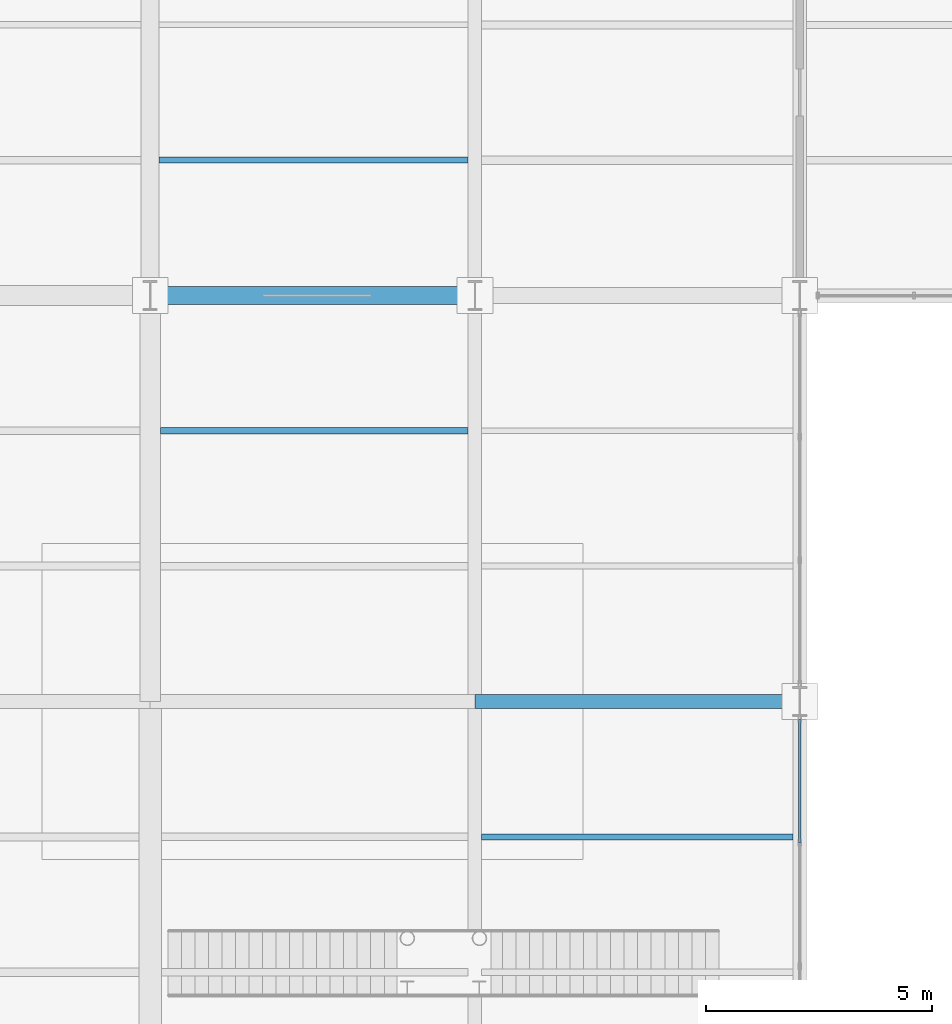
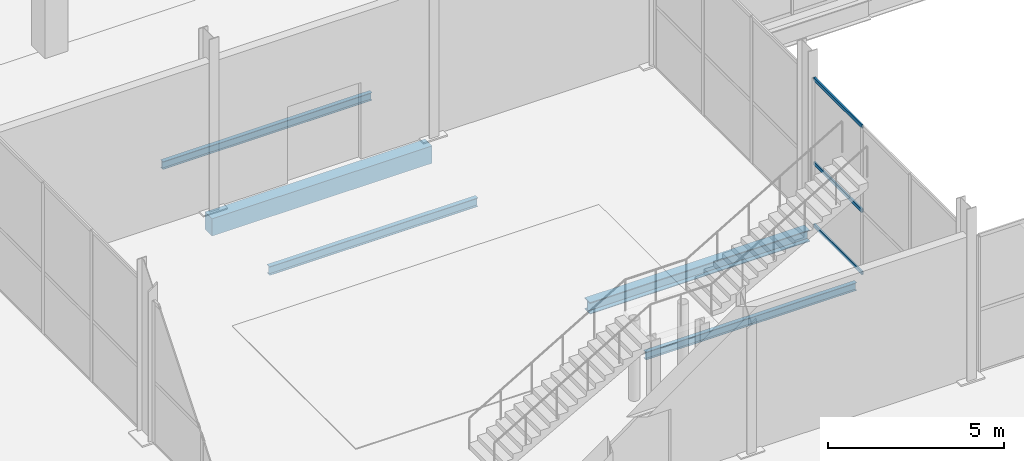
# One storey, part 51 of 144: 5 beams, 3 members, 1 element without a shape of its own.
"""IFC4 building model written with IfcOpenShell, lengths in metres."""

from ifc_helpers import new_model, si_unit, direction, frame, origin, origin_2d, place, context, subcontext, project, spatial, rectangle, hollow_rectangle, i_section, extrude, material, layer, layer_set, material_profile, profile_set, type_object, element, aggregate, save


model = new_model("IFC4")

# Units and contexts
model_context = context("Model", 3, precision=1e-05, world=origin(), true_north=direction((0.0, 1.0)))
body_context = subcontext(model_context, "Body", "Model", "MODEL_VIEW")
ifc_project = project(units=[si_unit("LENGTHUNIT", "METRE"), si_unit("AREAUNIT", "SQUARE_METRE"), si_unit("VOLUMEUNIT", "CUBIC_METRE"), si_unit("PLANEANGLEUNIT", "RADIAN"), si_unit("MASSUNIT", "GRAM", prefix="KILO")], contexts=[model_context])

# Site, building, storey
site_placement = place(None, origin())
site = spatial("IfcSite", under=ifc_project, at=site_placement, CompositionType="ELEMENT")
building_placement = place(site_placement, origin())
building = spatial("IfcBuilding", under=site, at=building_placement, Name="Sundgate Opera House", CompositionType="ELEMENT")
storey_placement = place(building_placement, origin())
storey = spatial("IfcBuildingStorey", under=building, at=storey_placement, Name="L00", CompositionType="ELEMENT", Elevation=0.0)

# Beams
ifc_material_1 = material(Name="Steel S355J2", Category="steel")
ifc_material_profile_1 = material_profile(ifc_material_1, i_section(OverallWidth=0.300048828125, OverallDepth=0.39990234375, WebThickness=0.013427734375, FlangeThickness=0.02392578125, at=origin_2d()), Name="HEB 400")
ifc_profile_set_1 = profile_set([ifc_material_profile_1], Name="Steel S355J2")
beam_type_1 = type_object("IfcBeamType", Name="BM-GR-HEB400", PredefinedType="BEAM", material=ifc_profile_set_1)
beam_1_placement = place(storey_placement, frame((109.800048828125, 51.0, -0.52001953125), z_axis=(1.0, 0.0, 0.0), x_axis=(0.0, 1.0, 0.0)))
element("IfcBeam", 1, at=beam_1_placement, inside=storey, type_object=beam_type_1, Name="L00 Primary E-W Girder B0438", PredefinedType="BEAM", context=body_context, shape_type="SweptSolid", body=[
    extrude(i_section(OverallWidth=0.300048828125, OverallDepth=0.39990234375, WebThickness=0.013427734375, FlangeThickness=0.02392578125, at=origin_2d()), origin(), (0.0, 0.0, 1.0), 7.199951171875),
])
ifc_material_2 = material(Name="Steel S355J2", Category="steel")
ifc_material_profile_2 = material_profile(ifc_material_2, i_section(OverallWidth=0.135009765625, OverallDepth=0.27001953125, WebThickness=0.006591796875, FlangeThickness=0.01025390625, at=origin_2d()), Name="IPE 270")
ifc_profile_set_2 = profile_set([ifc_material_profile_2], Name="Steel S355J2")
beam_type_2 = type_object("IfcBeamType", Name="BM-JS-IPE270", PredefinedType="JOIST", material=ifc_profile_set_2)
beam_2_placement = place(storey_placement, frame((109.949951171875, 48.0, -0.455078125), z_axis=(1.0, 0.0, 0.0), x_axis=(0.0, 1.0, 0.0)))
element("IfcBeam", 2, at=beam_2_placement, inside=storey, type_object=beam_type_2, Name="L00 Secondary Floor Joist B0768", PredefinedType="JOIST", context=body_context, shape_type="SweptSolid", body=[
    extrude(i_section(OverallWidth=0.135009765625, OverallDepth=0.27001953125, WebThickness=0.006591796875, FlangeThickness=0.01025390625, at=origin_2d()), origin(), (0.0, 0.0, 1.0), 6.900146484375),
])
beam_3_placement = place(storey_placement, frame((102.800048828125, 63.0, -0.455078125), z_axis=(1.0, 0.0, 0.0), x_axis=(0.0, 1.0, 0.0)))
element("IfcBeam", 3, at=beam_3_placement, inside=storey, type_object=beam_type_2, Name="L00 Secondary Floor Joist B0824", PredefinedType="JOIST", context=body_context, shape_type="SweptSolid", body=[
    extrude(i_section(OverallWidth=0.135009765625, OverallDepth=0.27001953125, WebThickness=0.006591796875, FlangeThickness=0.01025390625, at=origin_2d()), origin(), (0.0, 0.0, 1.0), 6.849853515625),
])
ifc_material_3 = material(Name="Steel S355J2", Category="steel")
ifc_material_profile_3 = material_profile(ifc_material_3, i_section(OverallWidth=0.14990234375, OverallDepth=0.300048828125, WebThickness=0.007080078125, FlangeThickness=0.0107421875, at=origin_2d()), Name="IPE 300")
ifc_profile_set_3 = profile_set([ifc_material_profile_3], Name="Steel S355J2")
beam_type_3 = type_object("IfcBeamType", Name="BM-JS-IPE300", PredefinedType="JOIST", material=ifc_profile_set_3)
beam_4_placement = place(storey_placement, frame((102.824951171875, 57.0, -0.469970703125), z_axis=(1.0, 0.0, 0.0), x_axis=(0.0, 1.0, 0.0)))
element("IfcBeam", 4, at=beam_4_placement, inside=storey, type_object=beam_type_3, Name="L00 Secondary Floor Joist B0795", PredefinedType="JOIST", context=body_context, shape_type="SweptSolid", body=[
    extrude(i_section(OverallWidth=0.14990234375, OverallDepth=0.300048828125, WebThickness=0.007080078125, FlangeThickness=0.0107421875, at=origin_2d()), origin(), (0.0, 0.0, 1.0), 6.824951171875),
])
ifc_material_4 = material(Name="Concrete C35/45", Category="concrete")
ifc_material_profile_4 = material_profile(ifc_material_4, rectangle(XDim=0.39990234375, YDim=0.60009765625, at=origin_2d()), Name="RC 400x600")
ifc_profile_set_4 = profile_set([ifc_material_profile_4], Name="Concrete C35/45")
beam_type_4 = type_object("IfcBeamType", Name="BM-RC-400x600", PredefinedType="BEAM", material=ifc_profile_set_4)
beam_5_placement = place(storey_placement, frame((102.60009765625, 60.0, -0.6201171875), z_axis=(1.0, 0.0, 0.0), x_axis=(0.0, 1.0, 0.0)))
element("IfcBeam", 5, at=beam_5_placement, inside=storey, type_object=beam_type_4, Name="L00 Primary E-W Girder B0452", PredefinedType="BEAM", context=body_context, shape_type="SweptSolid", body=[
    extrude(rectangle(XDim=0.39990234375, YDim=0.60009765625, at=origin_2d()), origin(), (0.0, 0.0, 1.0), 7.199951171875),
])

# Curtain wall, members
ifc_material_5 = material(Name="Anodized aluminium and low-iron glass", Category="aluminium")
ifc_layer = layer(ifc_material_5, 0.159912109375)
ifc_layer_set = layer_set([ifc_layer], Name="Anodized aluminium and low-iron glass")
curtain_wall_type = type_object("IfcCurtainWallType", Name="CW-STUDIO-DARK", PredefinedType="NOTDEFINED", material=ifc_layer_set)
curtain_wall_placement = place(storey_placement, origin())
curtain_wall = element("IfcCurtainWall", 6, at=curtain_wall_placement, inside=storey, type_object=curtain_wall_type, Name="L00 Curtain Wall CW040", PredefinedType="NOTDEFINED")
ifc_material_6 = material(Name="Anodized aluminium EN AW-6063", Category="aluminium")
ifc_material_profile_5 = material_profile(ifc_material_6, hollow_rectangle(XDim=0.054931640625, YDim=0.1201171875, WallThickness=0.00390625, at=origin_2d()), Name="CWT 120x55x4")
ifc_profile_set_5 = profile_set([ifc_material_profile_5], Name="Anodized aluminium EN AW-6063")
member_type = type_object("IfcMemberType", Name="CWT-ALU-120x55", PredefinedType="USERDEFINED", material=ifc_profile_set_5)
member_1_placement = place(storey_placement, frame((117.0, 47.86669921875, 0.0), z_axis=(0.0, 1.0, 0.0), x_axis=(-1.0, 0.0, 0.0)))
member_1 = element("IfcMember", 7, at=member_1_placement, type_object=member_type, Name="CW040 Transom 7", ObjectType="TRANSOM", PredefinedType="USERDEFINED", context=body_context, shape_type="SweptSolid", body=[
    extrude(hollow_rectangle(XDim=0.054931640625, YDim=0.1201171875, WallThickness=0.00390625, at=origin_2d()), origin(), (0.0, 0.0, 1.0), 2.7333984375),
])
member_2_placement = place(storey_placement, frame((117.0, 47.86669921875, 2.14990234375), z_axis=(0.0, 1.0, 0.0), x_axis=(-1.0, 0.0, 0.0)))
member_2 = element("IfcMember", 8, at=member_2_placement, type_object=member_type, Name="CW040 Transom 8", ObjectType="TRANSOM", PredefinedType="USERDEFINED", context=body_context, shape_type="SweptSolid", body=[
    extrude(hollow_rectangle(XDim=0.054931640625, YDim=0.1201171875, WallThickness=0.00390625, at=origin_2d()), origin(), (0.0, 0.0, 1.0), 2.7333984375),
])
member_3_placement = place(storey_placement, frame((117.0, 47.86669921875, 5.06494140625), z_axis=(0.0, 1.0, 0.0), x_axis=(-1.0, 0.0, 0.0)))
member_3 = element("IfcMember", 9, at=member_3_placement, type_object=member_type, Name="CW040 Transom 9", ObjectType="TRANSOM", PredefinedType="USERDEFINED", context=body_context, shape_type="SweptSolid", body=[
    extrude(hollow_rectangle(XDim=0.054931640625, YDim=0.1201171875, WallThickness=0.00390625, at=origin_2d()), origin(), (0.0, 0.0, 1.0), 2.7333984375),
])
aggregate(curtain_wall, [member_1, member_2, member_3])

save(model, "model.ifc")
